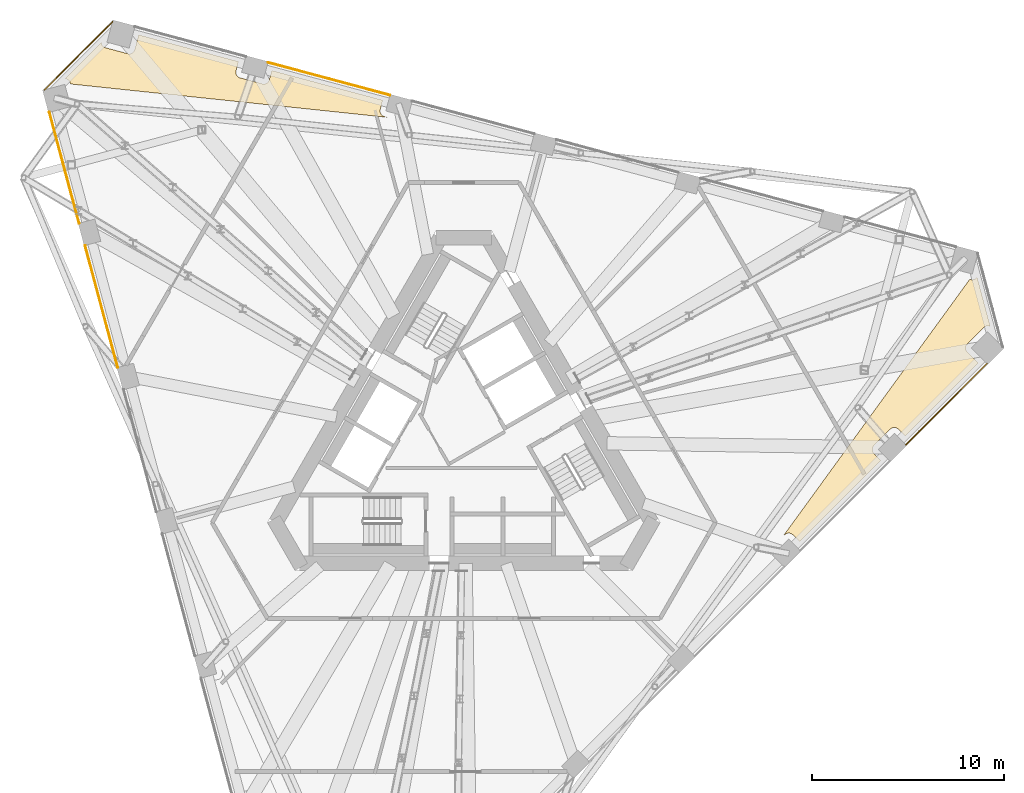
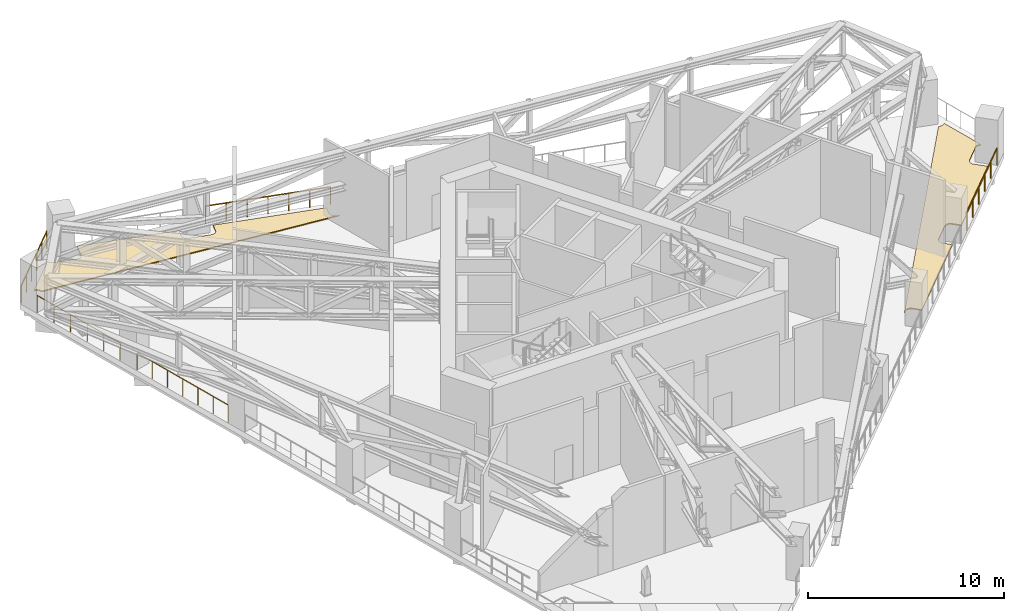
# One storey, part 20 of 22: 5 railings, 4 coverings.
"""IFC4 building model written with IfcOpenShell, lengths in metres."""

from ifc_helpers import new_model, si_unit, direction, frame, origin, origin_2d, place, context, subcontext, project, spatial, polyline, circle, outline, extrude, material, layer, layer_set, type_object, element, save


model = new_model("IFC4")

# Units and contexts
model_context = context("Model", 3, precision=1e-05, world=origin(), true_north=direction((0.0, 1.0)))
body_context = subcontext(model_context, "Body", "Model", "MODEL_VIEW")
ifc_project = project(units=[si_unit("LENGTHUNIT", "METRE"), si_unit("AREAUNIT", "SQUARE_METRE"), si_unit("VOLUMEUNIT", "CUBIC_METRE"), si_unit("PLANEANGLEUNIT", "RADIAN"), si_unit("MASSUNIT", "GRAM", prefix="KILO")], contexts=[model_context])

# Site, building, storey
site_placement = place(None, origin())
site = spatial("IfcSite", under=ifc_project, at=site_placement, CompositionType="ELEMENT")
building_placement = place(site_placement, origin())
building = spatial("IfcBuilding", under=site, at=building_placement, Name="Tramontana Tower", CompositionType="ELEMENT")
storey_placement = place(building_placement, frame((0.0, 0.0, 232.0)))
storey = spatial("IfcBuildingStorey", under=building, at=storey_placement, Name="L54", CompositionType="ELEMENT", Elevation=232.0)

# Railings
ifc_material_1 = material(Name="Stainless steel rail and posts", Category="steel")
railing_type = type_object("IfcRailingType", Name="GD2 Terrace guard 1100", PredefinedType="GUARDRAIL", material=ifc_material_1)
railing_1_placement = place(storey_placement, frame((-18.34130859375, 21.89306640625, 0.0)))
element("IfcRailing", 1, at=railing_1_placement, inside=storey, type_object=railing_type, Name="Edge guard L54 1", PredefinedType="GUARDRAIL", context=body_context, shape_type="SweptSolid", body=[
    extrude(circle(Radius=0.02392578125, at=origin_2d()), frame((0.0, 0.0, 1.076171875), z_axis=(-0.707106781187, -0.707106781187, 0.0), x_axis=(0.707106781187, -0.707106781187, 0.0)), (0.0, 0.0, 1.0), 5.02294921875),
    extrude(circle(Radius=0.02099609375, at=origin_2d()), origin(), (0.0, 0.0, 1.0), 1.052001953125),
    extrude(circle(Radius=0.02099609375, at=origin_2d()), frame((-0.71044921875, -0.71044921875, 0.0)), (0.0, 0.0, 1.0), 1.052001953125),
    extrude(circle(Radius=0.02099609375, at=origin_2d()), frame((-1.420654296875, -1.420654296875, 0.0)), (0.0, 0.0, 1.0), 1.052001953125),
    extrude(circle(Radius=0.02099609375, at=origin_2d()), frame((-2.131103515625, -2.131103515625, 0.0)), (0.0, 0.0, 1.0), 1.052001953125),
    extrude(circle(Radius=0.02099609375, at=origin_2d()), frame((-2.84130859375, -2.84130859375, 0.0)), (0.0, 0.0, 1.0), 1.052001953125),
    extrude(circle(Radius=0.02099609375, at=origin_2d()), frame((-3.5517578125, -3.5517578125, 0.0)), (0.0, 0.0, 1.0), 1.052001953125),
])
railing_2_placement = place(storey_placement, frame((-21.630859375, 17.169189453125, 0.0)))
element("IfcRailing", 2, at=railing_2_placement, inside=storey, type_object=railing_type, Name="Edge guard L54 2", PredefinedType="GUARDRAIL", context=body_context, shape_type="SweptSolid", body=[
    extrude(circle(Radius=0.02392578125, at=origin_2d()), frame((0.0, 0.0, 1.076171875), z_axis=(0.258841272413, -0.965919870225, 0.0), x_axis=(0.965919870225, 0.258841272413, 0.0)), (0.0, 0.0, 1.0), 5.994140625),
    extrude(circle(Radius=0.02099609375, at=origin_2d()), origin(), (0.0, 0.0, 1.0), 1.052001953125),
    extrude(circle(Radius=0.02099609375, at=origin_2d()), frame((0.310302734375, -1.157958984375, 0.0)), (0.0, 0.0, 1.0), 1.052001953125),
    extrude(circle(Radius=0.02099609375, at=origin_2d()), frame((0.62060546875, -2.31591796875, 0.0)), (0.0, 0.0, 1.0), 1.052001953125),
    extrude(circle(Radius=0.02099609375, at=origin_2d()), frame((0.930908203125, -3.473876953125, 0.0)), (0.0, 0.0, 1.0), 1.052001953125),
    extrude(circle(Radius=0.02099609375, at=origin_2d()), frame((1.2412109375, -4.6318359375, 0.0)), (0.0, 0.0, 1.0), 1.052001953125),
    extrude(circle(Radius=0.02099609375, at=origin_2d()), frame((1.551513671875, -5.789794921875, 0.0)), (0.0, 0.0, 1.0), 1.052001953125),
])
railing_3_placement = place(storey_placement, frame((-19.768798828125, 10.22021484375, 0.0)))
element("IfcRailing", 3, at=railing_3_placement, inside=storey, type_object=railing_type, Name="Edge guard L54 3", PredefinedType="GUARDRAIL", context=body_context, shape_type="SweptSolid", body=[
    extrude(circle(Radius=0.02392578125, at=origin_2d()), frame((0.0, 0.0, 1.076171875), z_axis=(0.258826146022, -0.965923923575, 0.0), x_axis=(0.965923923575, 0.258826146022, 0.0)), (0.0, 0.0, 1.0), 6.59423828125),
    extrude(circle(Radius=0.02099609375, at=origin_2d()), origin(), (0.0, 0.0, 1.0), 1.052001953125),
    extrude(circle(Radius=0.02099609375, at=origin_2d()), frame((0.284423828125, -1.0615234375, 0.0)), (0.0, 0.0, 1.0), 1.052001953125),
    extrude(circle(Radius=0.02099609375, at=origin_2d()), frame((0.56884765625, -2.123291015625, 0.0)), (0.0, 0.0, 1.0), 1.052001953125),
    extrude(circle(Radius=0.02099609375, at=origin_2d()), frame((0.853515625, -3.184814453125, 0.0)), (0.0, 0.0, 1.0), 1.052001953125),
    extrude(circle(Radius=0.02099609375, at=origin_2d()), frame((1.137939453125, -4.246337890625, 0.0)), (0.0, 0.0, 1.0), 1.052001953125),
    extrude(circle(Radius=0.02099609375, at=origin_2d()), frame((1.42236328125, -5.30810546875, 0.0)), (0.0, 0.0, 1.0), 1.052001953125),
    extrude(circle(Radius=0.02099609375, at=origin_2d()), frame((1.706787109375, -6.36962890625, 0.0)), (0.0, 0.0, 1.0), 1.052001953125),
])
railing_4_placement = place(storey_placement, frame((-3.8505859375, 18.06201171875, 0.0)))
element("IfcRailing", 4, at=railing_4_placement, inside=storey, type_object=railing_type, Name="Edge guard L54 9", PredefinedType="GUARDRAIL", context=body_context, shape_type="SweptSolid", body=[
    extrude(circle(Radius=0.02392578125, at=origin_2d()), frame((0.0, 0.0, 1.076171875), z_axis=(-0.965923923575, 0.258826146022, 0.0), x_axis=(-0.258826146022, -0.965923923575, 0.0)), (0.0, 0.0, 1.0), 6.59423828125),
    extrude(circle(Radius=0.02099609375, at=origin_2d()), origin(), (0.0, 0.0, 1.0), 1.052001953125),
    extrude(circle(Radius=0.02099609375, at=origin_2d()), frame((-1.0615234375, 0.284423828125, 0.0)), (0.0, 0.0, 1.0), 1.052001953125),
    extrude(circle(Radius=0.02099609375, at=origin_2d()), frame((-2.123291015625, 0.56884765625, 0.0)), (0.0, 0.0, 1.0), 1.052001953125),
    extrude(circle(Radius=0.02099609375, at=origin_2d()), frame((-3.184814453125, 0.853515625, 0.0)), (0.0, 0.0, 1.0), 1.052001953125),
    extrude(circle(Radius=0.02099609375, at=origin_2d()), frame((-4.246337890625, 1.137939453125, 0.0)), (0.0, 0.0, 1.0), 1.052001953125),
    extrude(circle(Radius=0.02099609375, at=origin_2d()), frame((-5.30810546875, 1.42236328125, 0.0)), (0.0, 0.0, 1.0), 1.052001953125),
    extrude(circle(Radius=0.02099609375, at=origin_2d()), frame((-6.36962890625, 1.706787109375, 0.0)), (0.0, 0.0, 1.0), 1.052001953125),
])
railing_5_placement = place(storey_placement, frame((23.078857421875, -0.18505859375, 0.0)))
element("IfcRailing", 5, at=railing_5_placement, inside=storey, type_object=railing_type, Name="Edge guard L54 20", PredefinedType="GUARDRAIL", context=body_context, shape_type="SweptSolid", body=[
    extrude(circle(Radius=0.02392578125, at=origin_2d()), frame((0.0, 0.0, 1.076171875), z_axis=(0.707086416674, 0.707127145112, 0.0), x_axis=(-0.707127145112, 0.707086416674, 0.0)), (0.0, 0.0, 1.0), 5.994384765625),
    extrude(circle(Radius=0.02099609375, at=origin_2d()), origin(), (0.0, 0.0, 1.0), 1.052001953125),
    extrude(circle(Radius=0.02099609375, at=origin_2d()), frame((0.84765625, 0.84765625, 0.0)), (0.0, 0.0, 1.0), 1.052001953125),
    extrude(circle(Radius=0.02099609375, at=origin_2d()), frame((1.6953125, 1.695556640625, 0.0)), (0.0, 0.0, 1.0), 1.052001953125),
    extrude(circle(Radius=0.02099609375, at=origin_2d()), frame((2.543212890625, 2.543212890625, 0.0)), (0.0, 0.0, 1.0), 1.052001953125),
    extrude(circle(Radius=0.02099609375, at=origin_2d()), frame((3.390869140625, 3.39111328125, 0.0)), (0.0, 0.0, 1.0), 1.052001953125),
    extrude(circle(Radius=0.02099609375, at=origin_2d()), frame((4.238525390625, 4.23876953125, 0.0)), (0.0, 0.0, 1.0), 1.052001953125),
])

# Coverings
ifc_material_2 = material(Name="Limestone paving 60", Category="masonry")
ifc_layer_1 = layer(ifc_material_2, 0.06005859375)
ifc_layer_set_1 = layer_set([ifc_layer_1], Name="PV1 Terrace paving 60")
covering_type_1 = type_object("IfcCoveringType", Name="PV1 Terrace paving 60", PredefinedType="FLOORING", material=ifc_layer_set_1)
covering_1_placement = place(storey_placement, frame((0.0, 0.0, 0.010009765625)))
element("IfcCovering", 6, at=covering_1_placement, inside=storey, type_object=covering_type_1, Name="Terrace paving L54 1", PredefinedType="FLOORING", context=body_context, shape_type="SweptSolid", body=[
    extrude(outline(polyline([(-18.92529296875, 20.814208984375), (-18.92333984375, 20.79150390625), (-18.918212890625, 20.762451171875), (-18.91015625, 20.734130859375), (-18.899169921875, 20.706787109375), (-18.8857421875, 20.6806640625), (-18.869873046875, 20.65576171875), (-18.8515625, 20.6328125), (-18.8310546875, 20.611572265625), (-18.80859375, 20.592529296875), (-18.784423828125, 20.57568359375), (-18.7587890625, 20.5615234375), (-18.731689453125, 20.5498046875), (-18.70361328125, 20.540771484375), (-17.54443359375, 20.230224609375), (-17.515869140625, 20.223876953125), (-17.486572265625, 20.220703125), (-17.45703125, 20.22021484375), (-17.427734375, 20.222412109375), (-17.398681640625, 20.227783203125), (-17.370361328125, 20.23583984375), (-17.343017578125, 20.246826171875), (-17.31689453125, 20.26025390625), (-17.292236328125, 20.276123046875), (-17.26904296875, 20.29443359375), (-17.248046875, 20.31494140625), (-17.22900390625, 20.33740234375), (-17.212158203125, 20.361572265625), (-17.19775390625, 20.38720703125), (-17.18603515625, 20.414306640625), (-17.177001953125, 20.4423828125), (-16.969970703125, 21.215087890625), (-11.759521484375, 19.81884765625), (-11.88916015625, 19.3359375), (-11.895263671875, 19.30712890625), (-11.898681640625, 19.27783203125), (-11.899169921875, 19.24853515625), (-11.896728515625, 19.21923828125), (-11.891357421875, 19.190185546875), (-11.88330078125, 19.161865234375), (-11.87255859375, 19.134521484375), (-11.859130859375, 19.1083984375), (-11.843017578125, 19.08349609375), (-11.82470703125, 19.060546875), (-11.804443359375, 19.039306640625), (-11.781982421875, 19.020263671875), (-11.7578125, 19.003662109375), (-11.73193359375, 18.9892578125), (-11.704833984375, 18.9775390625), (-11.677001953125, 18.968505859375), (-10.517822265625, 18.657958984375), (-10.489013671875, 18.65185546875), (-10.459716796875, 18.6484375), (-10.430419921875, 18.64794921875), (-10.401123046875, 18.650390625), (-10.3720703125, 18.655517578125), (-10.34375, 18.66357421875), (-10.31640625, 18.674560546875), (-10.2900390625, 18.68798828125), (-10.265380859375, 18.703857421875), (-10.242431640625, 18.72216796875), (-10.22119140625, 18.74267578125), (-10.2021484375, 18.76513671875), (-10.185302734375, 18.789306640625), (-10.171142578125, 18.81494140625), (-10.159423828125, 18.842041015625), (-10.150390625, 18.8701171875), (-10.02099609375, 19.35302734375), (-4.23095703125, 17.8017578125), (-4.3603515625, 17.318603515625), (-4.36669921875, 17.289794921875), (-4.369873046875, 17.2607421875), (-4.370361328125, 17.231201171875), (-4.3681640625, 17.201904296875), (-4.36279296875, 17.1728515625), (-4.354736328125, 17.14453125), (-4.343994140625, 17.1171875), (-4.330322265625, 17.091064453125), (-4.314453125, 17.06640625), (-4.296142578125, 17.043212890625), (-4.275634765625, 17.02197265625), (-4.253173828125, 17.0029296875), (-4.22900390625, 16.986328125), (-4.203369140625, 16.971923828125), (-4.17626953125, 16.960205078125), (-4.148193359375, 16.951171875), (-3.995361328125, 16.91015625), (-20.52587890625, 18.647705078125), (-20.540771484375, 18.70361328125), (-20.5498046875, 18.731689453125), (-20.5615234375, 18.7587890625), (-20.57568359375, 18.784423828125), (-20.592529296875, 18.80859375), (-20.611572265625, 18.8310546875), (-20.6328125, 18.8515625), (-20.65576171875, 18.869873046875), (-20.6806640625, 18.8857421875), (-20.706787109375, 18.899169921875), (-20.734130859375, 18.91015625), (-20.762451171875, 18.918212890625), (-20.79150390625, 18.92333984375), (-20.814208984375, 18.92529296875), (-18.92529296875, 20.814208984375)])), origin(), (0.0, 0.0, 1.0), 0.06005859375),
])
covering_2_placement = place(storey_placement, frame((0.0, 0.0, 0.010009765625)))
element("IfcCovering", 7, at=covering_2_placement, inside=storey, type_object=covering_type_1, Name="Terrace paving L54 3", PredefinedType="FLOORING", context=body_context, shape_type="SweptSolid", body=[
    extrude(outline(polyline([(27.48828125, 5.982666015625), (27.467529296875, 5.992431640625), (27.43994140625, 6.00244140625), (27.411376953125, 6.009521484375), (27.382080078125, 6.013916015625), (27.352783203125, 6.015380859375), (27.323486328125, 6.013916015625), (27.294189453125, 6.009521484375), (27.265625, 6.00244140625), (27.238037109375, 5.992431640625), (27.21142578125, 5.97998046875), (27.18603515625, 5.96484375), (27.162353515625, 5.947265625), (27.140625, 5.927490234375), (26.292236328125, 5.078857421875), (26.2724609375, 5.05712890625), (26.2548828125, 5.033447265625), (26.23974609375, 5.00830078125), (26.22705078125, 4.981689453125), (26.21728515625, 4.953857421875), (26.2099609375, 4.92529296875), (26.205810546875, 4.896240234375), (26.204345703125, 4.86669921875), (26.205810546875, 4.83740234375), (26.2099609375, 4.808349609375), (26.21728515625, 4.77978515625), (26.22705078125, 4.751953125), (26.23974609375, 4.725341796875), (26.2548828125, 4.7001953125), (26.2724609375, 4.676513671875), (26.292236328125, 4.654541015625), (26.85791015625, 4.0888671875), (23.04345703125, 0.274658203125), (22.68994140625, 0.628173828125), (22.668212890625, 0.64794921875), (22.64453125, 0.66552734375), (22.619140625, 0.6806640625), (22.592529296875, 0.693359375), (22.56494140625, 0.703125), (22.536376953125, 0.71044921875), (22.50732421875, 0.714599609375), (22.477783203125, 0.716064453125), (22.448486328125, 0.714599609375), (22.419189453125, 0.71044921875), (22.390869140625, 0.703125), (22.363037109375, 0.693359375), (22.33642578125, 0.6806640625), (22.311279296875, 0.66552734375), (22.28759765625, 0.64794921875), (22.265625, 0.628173828125), (21.417236328125, -0.22021484375), (21.3974609375, -0.2421875), (21.3798828125, -0.265869140625), (21.36474609375, -0.291015625), (21.35205078125, -0.317626953125), (21.34228515625, -0.345458984375), (21.3349609375, -0.373779296875), (21.330810546875, -0.403076171875), (21.329345703125, -0.432373046875), (21.330810546875, -0.4619140625), (21.3349609375, -0.490966796875), (21.34228515625, -0.51953125), (21.35205078125, -0.547119140625), (21.36474609375, -0.57373046875), (21.3798828125, -0.59912109375), (21.3974609375, -0.622802734375), (21.417236328125, -0.64453125), (21.770751953125, -0.998046875), (17.5322265625, -5.236572265625), (17.1787109375, -4.883056640625), (17.15673828125, -4.86328125), (17.133056640625, -4.845703125), (17.10791015625, -4.83056640625), (17.081298828125, -4.818115234375), (17.053466796875, -4.80810546875), (17.02490234375, -4.801025390625), (16.995849609375, -4.796630859375), (16.966552734375, -4.795166015625), (16.93701171875, -4.796630859375), (16.907958984375, -4.801025390625), (16.87939453125, -4.80810546875), (16.8515625, -4.818115234375), (16.824951171875, -4.83056640625), (16.7998046875, -4.845703125), (16.776123046875, -4.86328125), (16.75439453125, -4.883056640625), (16.642333984375, -4.9951171875), (26.412353515625, 8.451904296875), (26.46826171875, 8.43701171875), (26.4970703125, 8.430908203125), (26.5263671875, 8.427490234375), (26.5556640625, 8.427001953125), (26.5849609375, 8.429443359375), (26.614013671875, 8.4345703125), (26.642333984375, 8.442626953125), (26.669677734375, 8.45361328125), (26.69580078125, 8.467041015625), (26.720703125, 8.48291015625), (26.74365234375, 8.501220703125), (26.764892578125, 8.521728515625), (26.783935546875, 8.544189453125), (26.796875, 8.56298828125), (27.48828125, 5.982666015625)])), origin(), (0.0, 0.0, 1.0), 0.06005859375),
])
ifc_material_3 = material(Name="Bituminous waterproofing membrane")
ifc_layer_2 = layer(ifc_material_3, 0.010009765625)
ifc_layer_set_2 = layer_set([ifc_layer_2], Name="WP1 Terrace waterproofing membrane 10")
covering_type_2 = type_object("IfcCoveringType", Name="WP1 Terrace waterproofing membrane 10", PredefinedType="MEMBRANE", material=ifc_layer_set_2)
covering_3_placement = place(storey_placement, origin())
element("IfcCovering", 8, at=covering_3_placement, inside=storey, type_object=covering_type_2, Name="Terrace membrane L54 1", PredefinedType="MEMBRANE", context=body_context, shape_type="SweptSolid", body=[
    extrude(outline(polyline([(-18.92529296875, 20.814208984375), (-18.92333984375, 20.79150390625), (-18.918212890625, 20.762451171875), (-18.91015625, 20.734130859375), (-18.899169921875, 20.706787109375), (-18.8857421875, 20.6806640625), (-18.869873046875, 20.65576171875), (-18.8515625, 20.6328125), (-18.8310546875, 20.611572265625), (-18.80859375, 20.592529296875), (-18.784423828125, 20.57568359375), (-18.7587890625, 20.5615234375), (-18.731689453125, 20.5498046875), (-18.70361328125, 20.540771484375), (-17.54443359375, 20.230224609375), (-17.515869140625, 20.223876953125), (-17.486572265625, 20.220703125), (-17.45703125, 20.22021484375), (-17.427734375, 20.222412109375), (-17.398681640625, 20.227783203125), (-17.370361328125, 20.23583984375), (-17.343017578125, 20.246826171875), (-17.31689453125, 20.26025390625), (-17.292236328125, 20.276123046875), (-17.26904296875, 20.29443359375), (-17.248046875, 20.31494140625), (-17.22900390625, 20.33740234375), (-17.212158203125, 20.361572265625), (-17.19775390625, 20.38720703125), (-17.18603515625, 20.414306640625), (-17.177001953125, 20.4423828125), (-16.969970703125, 21.215087890625), (-11.759521484375, 19.81884765625), (-11.88916015625, 19.3359375), (-11.895263671875, 19.30712890625), (-11.898681640625, 19.27783203125), (-11.899169921875, 19.24853515625), (-11.896728515625, 19.21923828125), (-11.891357421875, 19.190185546875), (-11.88330078125, 19.161865234375), (-11.87255859375, 19.134521484375), (-11.859130859375, 19.1083984375), (-11.843017578125, 19.08349609375), (-11.82470703125, 19.060546875), (-11.804443359375, 19.039306640625), (-11.781982421875, 19.020263671875), (-11.7578125, 19.003662109375), (-11.73193359375, 18.9892578125), (-11.704833984375, 18.9775390625), (-11.677001953125, 18.968505859375), (-10.517822265625, 18.657958984375), (-10.489013671875, 18.65185546875), (-10.459716796875, 18.6484375), (-10.430419921875, 18.64794921875), (-10.401123046875, 18.650390625), (-10.3720703125, 18.655517578125), (-10.34375, 18.66357421875), (-10.31640625, 18.674560546875), (-10.2900390625, 18.68798828125), (-10.265380859375, 18.703857421875), (-10.242431640625, 18.72216796875), (-10.22119140625, 18.74267578125), (-10.2021484375, 18.76513671875), (-10.185302734375, 18.789306640625), (-10.171142578125, 18.81494140625), (-10.159423828125, 18.842041015625), (-10.150390625, 18.8701171875), (-10.02099609375, 19.35302734375), (-4.23095703125, 17.8017578125), (-4.3603515625, 17.318603515625), (-4.36669921875, 17.289794921875), (-4.369873046875, 17.2607421875), (-4.370361328125, 17.231201171875), (-4.3681640625, 17.201904296875), (-4.36279296875, 17.1728515625), (-4.354736328125, 17.14453125), (-4.343994140625, 17.1171875), (-4.330322265625, 17.091064453125), (-4.314453125, 17.06640625), (-4.296142578125, 17.043212890625), (-4.275634765625, 17.02197265625), (-4.253173828125, 17.0029296875), (-4.22900390625, 16.986328125), (-4.203369140625, 16.971923828125), (-4.17626953125, 16.960205078125), (-4.148193359375, 16.951171875), (-3.995361328125, 16.91015625), (-20.52587890625, 18.647705078125), (-20.540771484375, 18.70361328125), (-20.5498046875, 18.731689453125), (-20.5615234375, 18.7587890625), (-20.57568359375, 18.784423828125), (-20.592529296875, 18.80859375), (-20.611572265625, 18.8310546875), (-20.6328125, 18.8515625), (-20.65576171875, 18.869873046875), (-20.6806640625, 18.8857421875), (-20.706787109375, 18.899169921875), (-20.734130859375, 18.91015625), (-20.762451171875, 18.918212890625), (-20.79150390625, 18.92333984375), (-20.814208984375, 18.92529296875), (-18.92529296875, 20.814208984375)])), origin(), (0.0, 0.0, 1.0), 0.010009765625),
])
covering_4_placement = place(storey_placement, origin())
element("IfcCovering", 9, at=covering_4_placement, inside=storey, type_object=covering_type_2, Name="Terrace membrane L54 3", PredefinedType="MEMBRANE", context=body_context, shape_type="SweptSolid", body=[
    extrude(outline(polyline([(27.48828125, 5.982666015625), (27.467529296875, 5.992431640625), (27.43994140625, 6.00244140625), (27.411376953125, 6.009521484375), (27.382080078125, 6.013916015625), (27.352783203125, 6.015380859375), (27.323486328125, 6.013916015625), (27.294189453125, 6.009521484375), (27.265625, 6.00244140625), (27.238037109375, 5.992431640625), (27.21142578125, 5.97998046875), (27.18603515625, 5.96484375), (27.162353515625, 5.947265625), (27.140625, 5.927490234375), (26.292236328125, 5.078857421875), (26.2724609375, 5.05712890625), (26.2548828125, 5.033447265625), (26.23974609375, 5.00830078125), (26.22705078125, 4.981689453125), (26.21728515625, 4.953857421875), (26.2099609375, 4.92529296875), (26.205810546875, 4.896240234375), (26.204345703125, 4.86669921875), (26.205810546875, 4.83740234375), (26.2099609375, 4.808349609375), (26.21728515625, 4.77978515625), (26.22705078125, 4.751953125), (26.23974609375, 4.725341796875), (26.2548828125, 4.7001953125), (26.2724609375, 4.676513671875), (26.292236328125, 4.654541015625), (26.85791015625, 4.0888671875), (23.04345703125, 0.274658203125), (22.68994140625, 0.628173828125), (22.668212890625, 0.64794921875), (22.64453125, 0.66552734375), (22.619140625, 0.6806640625), (22.592529296875, 0.693359375), (22.56494140625, 0.703125), (22.536376953125, 0.71044921875), (22.50732421875, 0.714599609375), (22.477783203125, 0.716064453125), (22.448486328125, 0.714599609375), (22.419189453125, 0.71044921875), (22.390869140625, 0.703125), (22.363037109375, 0.693359375), (22.33642578125, 0.6806640625), (22.311279296875, 0.66552734375), (22.28759765625, 0.64794921875), (22.265625, 0.628173828125), (21.417236328125, -0.22021484375), (21.3974609375, -0.2421875), (21.3798828125, -0.265869140625), (21.36474609375, -0.291015625), (21.35205078125, -0.317626953125), (21.34228515625, -0.345458984375), (21.3349609375, -0.373779296875), (21.330810546875, -0.403076171875), (21.329345703125, -0.432373046875), (21.330810546875, -0.4619140625), (21.3349609375, -0.490966796875), (21.34228515625, -0.51953125), (21.35205078125, -0.547119140625), (21.36474609375, -0.57373046875), (21.3798828125, -0.59912109375), (21.3974609375, -0.622802734375), (21.417236328125, -0.64453125), (21.770751953125, -0.998046875), (17.5322265625, -5.236572265625), (17.1787109375, -4.883056640625), (17.15673828125, -4.86328125), (17.133056640625, -4.845703125), (17.10791015625, -4.83056640625), (17.081298828125, -4.818115234375), (17.053466796875, -4.80810546875), (17.02490234375, -4.801025390625), (16.995849609375, -4.796630859375), (16.966552734375, -4.795166015625), (16.93701171875, -4.796630859375), (16.907958984375, -4.801025390625), (16.87939453125, -4.80810546875), (16.8515625, -4.818115234375), (16.824951171875, -4.83056640625), (16.7998046875, -4.845703125), (16.776123046875, -4.86328125), (16.75439453125, -4.883056640625), (16.642333984375, -4.9951171875), (26.412353515625, 8.451904296875), (26.46826171875, 8.43701171875), (26.4970703125, 8.430908203125), (26.5263671875, 8.427490234375), (26.5556640625, 8.427001953125), (26.5849609375, 8.429443359375), (26.614013671875, 8.4345703125), (26.642333984375, 8.442626953125), (26.669677734375, 8.45361328125), (26.69580078125, 8.467041015625), (26.720703125, 8.48291015625), (26.74365234375, 8.501220703125), (26.764892578125, 8.521728515625), (26.783935546875, 8.544189453125), (26.796875, 8.56298828125), (27.48828125, 5.982666015625)])), origin(), (0.0, 0.0, 1.0), 0.010009765625),
])

save(model, "model.ifc")
